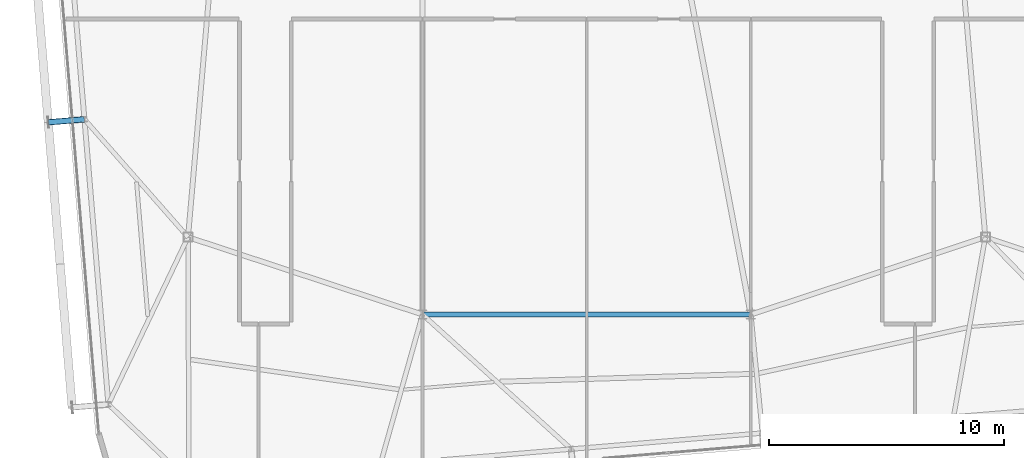
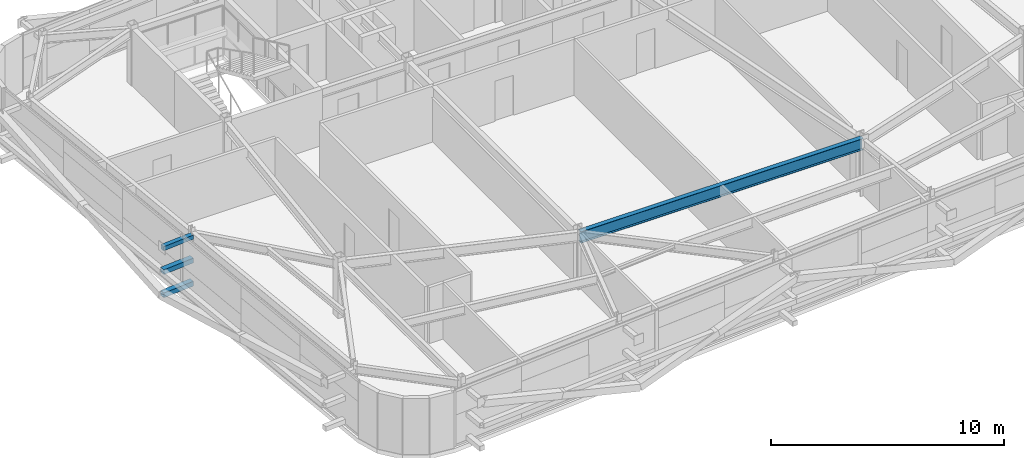
# One storey, part 11 of 37: 3 members, 1 beam.
"""IFC4 building model written with IfcOpenShell, lengths in metres."""

from ifc_helpers import new_model, si_unit, direction, frame, origin, origin_2d, place, context, subcontext, project, spatial, hollow_rectangle, i_section, extrude, source, transform, mapped, material, material_profile, profile_set, type_object, element, save


model = new_model("IFC4")

# Units and contexts
model_context = context("Model", 3, precision=1e-05, world=origin(), true_north=direction((0.0, 1.0)))
body_context = subcontext(model_context, "Body", "Model", "MODEL_VIEW")
ifc_project = project(units=[si_unit("LENGTHUNIT", "METRE"), si_unit("AREAUNIT", "SQUARE_METRE"), si_unit("VOLUMEUNIT", "CUBIC_METRE"), si_unit("PLANEANGLEUNIT", "RADIAN"), si_unit("MASSUNIT", "GRAM", prefix="KILO")], contexts=[model_context])

# Site, building, storey
site_placement = place(None, origin())
site = spatial("IfcSite", under=ifc_project, at=site_placement, CompositionType="ELEMENT")
building_placement = place(site_placement, origin())
building = spatial("IfcBuilding", under=site, at=building_placement, Name="Taldren Reach Tower", CompositionType="ELEMENT")
storey_placement = place(building_placement, frame((0.0, 0.0, 182.0)))
storey = spatial("IfcBuildingStorey", under=building, at=storey_placement, Name="L55", CompositionType="ELEMENT", Elevation=182.0)

# Beam
ifc_material_1 = material(Name="Steel Gr 350 (350PLUS)", Category="steel")
ifc_material_profile_1 = material_profile(ifc_material_1, i_section(OverallWidth=0.22802734375, OverallDepth=0.60205078125, WebThickness=0.010498046875, FlangeThickness=0.014892578125, at=origin_2d()), Name="610UB101")
ifc_profile_set_1 = profile_set([ifc_material_profile_1], Name="Steel Gr 350 (350PLUS)")
beam_type = type_object("IfcBeamType", Name="BM-UB610B", PredefinedType="BEAM", material=ifc_profile_set_1)
shared_shape_1 = source(origin(), body_context, "Body", "SweptSolid", [
    extrude(i_section(OverallWidth=0.22802734375, OverallDepth=0.60205078125, WebThickness=0.010498046875, FlangeThickness=0.014892578125, at=origin_2d()), origin(), (0.0, 0.0, 1.0), 14.0),
])
beam_placement = place(storey_placement, frame((28.0, 9.199951171875, 2.62890625), z_axis=(1.0, 0.0, 0.0), x_axis=(0.0, 1.0, 0.0)))
element("IfcBeam", 1, at=beam_placement, inside=storey, type_object=beam_type, Name="Core-spine girder L55-SP11", PredefinedType="BEAM", context=body_context, shape_type="MappedRepresentation", body=[
    mapped(shared_shape_1, transform((0.0, 0.0, 0.0), scale=1.0)),
])

# Members
ifc_material_2 = material(Name="Steel Gr 450 (C450L0)", Category="steel")
ifc_material_profile_2 = material_profile(ifc_material_2, hollow_rectangle(XDim=0.219970703125, YDim=0.219970703125, WallThickness=0.00830078125, at=origin_2d()), Name="220x220x8.2SHS")
ifc_profile_set_2 = profile_set([ifc_material_profile_2], Name="Steel Gr 450 (C450L0)")
member_type_1 = type_object("IfcMemberType", Name="MB-TIE219", PredefinedType="STRUT", material=ifc_profile_set_2)
shared_shape_2 = source(origin(), body_context, "Body", "SweptSolid", [
    extrude(hollow_rectangle(XDim=0.219970703125, YDim=0.219970703125, WallThickness=0.00830078125, at=origin_2d()), origin(), (0.0, 0.0, 1.0), 1.54541015625),
])
member_placement = place(storey_placement, frame((13.578125, 17.52490234375, 2.64990234375), z_axis=(-0.99648887425, -0.083725285883, 0.0), x_axis=(0.083725285883, -0.99648887425, 0.0)))
element("IfcMember", 2, at=member_placement, inside=storey, type_object=member_type_1, Name="Exoskeleton diaphragm tie strut B4-W2 L55", PredefinedType="STRUT", context=body_context, shape_type="MappedRepresentation", body=[
    mapped(shared_shape_2, transform((0.0, 0.0, 0.0), scale=1.0)),
])
ifc_material_3 = material(Name="Steel Gr 350 (C350L0)", Category="steel")
ifc_material_profile_3 = material_profile(ifc_material_3, hollow_rectangle(XDim=0.25, YDim=0.25, WallThickness=0.010009765625, at=origin_2d()), Name="250x250x10.0SHS")
ifc_profile_set_3 = profile_set([ifc_material_profile_3], Name="Steel Gr 350 (C350L0)")
member_type_2 = type_object("IfcMemberType", Name="MB-POST250", PredefinedType="POST", material=ifc_profile_set_3)
shared_shape_3 = source(origin(), body_context, "Body", "SweptSolid", [
    extrude(hollow_rectangle(XDim=0.25, YDim=0.25, WallThickness=0.010009765625, at=origin_2d()), origin(), (0.0, 0.0, 1.0), 1.54541015625),
])
for number, where, z_axis, x_axis, name in (
    (3, (13.578125, 17.52490234375, 0.219970703125), (-0.99648887425, -0.083725285883, 0.0), (0.083725285883, -0.99648887425, 0.0), "Exoskeleton base diaphragm tie strut B4-W2 L55"),
    (4, (13.578125, 17.52490234375, 1.43505859375), (-0.99648887425, -0.083725285883, 0.0), (0.083725285883, -0.99648887425, 0.0), "Exoskeleton mid-tier diaphragm tie B4-W2 L55"),
):
    element("IfcMember", number, at=place(storey_placement, frame(where, z_axis=z_axis, x_axis=x_axis)), inside=storey, type_object=member_type_2, Name=name, PredefinedType="POST", context=body_context, shape_type="MappedRepresentation", body=[
        mapped(shared_shape_3, transform((0.0, 0.0, 0.0), scale=1.0)),
    ])

save(model, "model.ifc")
